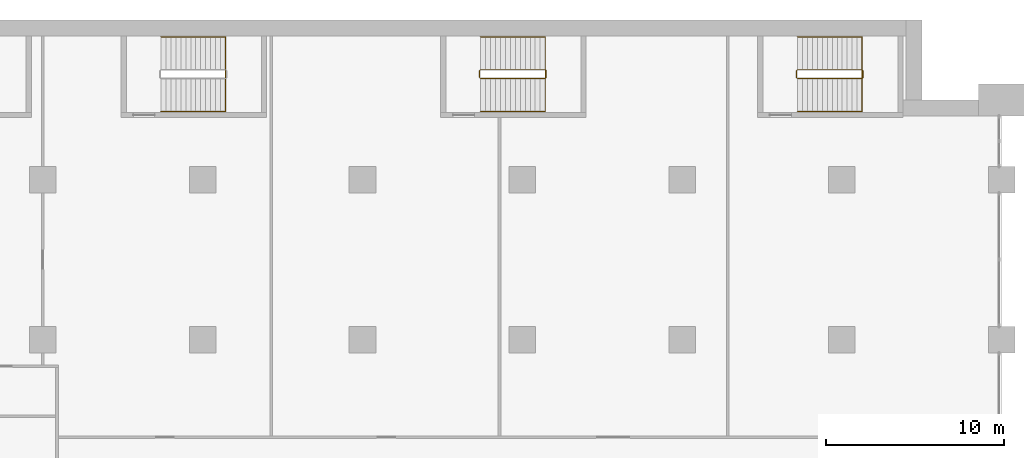
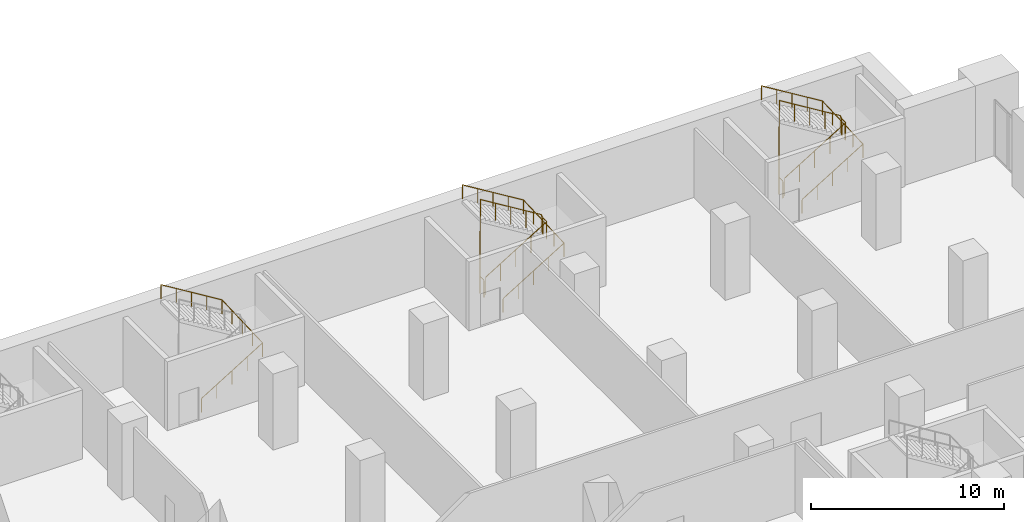
# One storey, part 32 of 32: 5 railings.
"""IFC4 building model written with IfcOpenShell, lengths in metres."""

from ifc_helpers import new_model, si_unit, direction, frame, origin, origin_2d, place, context, subcontext, project, spatial, circle, extrude, material, type_object, element, save


model = new_model("IFC4")

# Units and contexts
model_context = context("Model", 3, precision=1e-05, world=origin(), true_north=direction((0.0, 1.0)))
body_context = subcontext(model_context, "Body", "Model", "MODEL_VIEW")
ifc_project = project(units=[si_unit("LENGTHUNIT", "METRE"), si_unit("AREAUNIT", "SQUARE_METRE"), si_unit("VOLUMEUNIT", "CUBIC_METRE"), si_unit("PLANEANGLEUNIT", "RADIAN"), si_unit("MASSUNIT", "GRAM", prefix="KILO")], contexts=[model_context])

# Site, building, storey
site_placement = place(None, origin())
site = spatial("IfcSite", under=ifc_project, at=site_placement, CompositionType="ELEMENT")
building_placement = place(site_placement, origin())
building = spatial("IfcBuilding", under=site, at=building_placement, Name="Hunhe Ridgeline Campus", CompositionType="ELEMENT")
storey_placement = place(building_placement, frame((0.0, 0.0, 26.39990234375)))
storey = spatial("IfcBuildingStorey", under=building, at=storey_placement, Name="L05", CompositionType="ELEMENT", Elevation=26.39990234375)

# Railings
ifc_material_1 = material(Name="Stainless steel balustrade", Category="steel")
railing_type_1 = type_object("IfcRailingType", Name="Stair guard 1100 stainless", PredefinedType="GUARDRAIL", material=ifc_material_1)
railing_1_placement = place(storey_placement, frame((69.64990234375, 95.699951171875, 0.171630859375)))
element("IfcRailing", 1, at=railing_1_placement, inside=storey, type_object=railing_type_1, Name="L05 stair E3 guard", PredefinedType="GUARDRAIL", context=body_context, shape_type="SweptSolid", body=[
    extrude(circle(Radius=0.02392578125, at=origin_2d()), frame((0.0, 0.0, 1.076171875), z_axis=(0.852865859571, 0.0, 0.52213008492), x_axis=(0.0, 1.0, 0.0)), (0.0, 0.0, 1.0), 4.26806640625),
    extrude(circle(Radius=0.02392578125, at=origin_2d()), frame((3.64013671875, 0.0, 3.3046875), z_axis=(0.707106781187, 0.707106781187, 0.0), x_axis=(-0.707106781187, 0.707106781187, 0.0)), (0.0, 0.0, 1.0), 0.07080078125),
    extrude(circle(Radius=0.02392578125, at=origin_2d()), frame((3.690185546875, 0.050048828125, 3.3046875), z_axis=(0.0, 1.0, 0.0), x_axis=(-1.0, 0.0, 0.0)), (0.0, 0.0, 1.0), 0.39990234375),
    extrude(circle(Radius=0.02392578125, at=origin_2d()), frame((3.690185546875, 0.449951171875, 3.3046875), z_axis=(-0.269911200495, 0.269911200495, 0.924281281696), x_axis=(-0.707106781187, -0.707106781187, 0.0)), (0.0, 0.0, 1.0), 0.185546875),
    extrude(circle(Radius=0.02392578125, at=origin_2d()), frame((3.64013671875, 0.5, 3.47607421875), z_axis=(-0.852865859571, 0.0, 0.52213008492), x_axis=(0.0, -1.0, 0.0)), (0.0, 0.0, 1.0), 4.26806640625),
    extrude(circle(Radius=0.02392578125, at=origin_2d()), frame((0.0, 0.5, 5.70458984375), z_axis=(-0.010374748654, -0.010425605265, -0.999891829822), x_axis=(0.708833529934, -0.705375805398, 0.0)), (0.0, 0.0, 1.0), 4.800537109375),
    extrude(circle(Radius=0.02392578125, at=origin_2d()), frame((-0.0498046875, 0.449951171875, 0.904296875), z_axis=(0.0, -1.0, 0.0), x_axis=(1.0, 0.0, 0.0)), (0.0, 0.0, 1.0), 0.39990234375),
    extrude(circle(Radius=0.02099609375, at=origin_2d()), origin(), (0.0, 0.0, 1.0), 1.052001953125),
    extrude(circle(Radius=0.02099609375, at=origin_2d()), frame((0.91015625, 0.0, 0.55712890625)), (0.0, 0.0, 1.0), 1.052001953125),
    extrude(circle(Radius=0.02099609375, at=origin_2d()), frame((1.820068359375, 0.0, 1.1142578125)), (0.0, 0.0, 1.0), 1.052001953125),
    extrude(circle(Radius=0.02099609375, at=origin_2d()), frame((2.72998046875, 0.0, 1.67138671875)), (0.0, 0.0, 1.0), 1.052001953125),
    extrude(circle(Radius=0.02099609375, at=origin_2d()), frame((3.64013671875, 0.0, 2.228515625)), (0.0, 0.0, 1.0), 1.052001953125),
    extrude(circle(Radius=0.02099609375, at=origin_2d()), frame((3.690185546875, 0.050048828125, 2.228515625)), (0.0, 0.0, 1.0), 1.052001953125),
    extrude(circle(Radius=0.02099609375, at=origin_2d()), frame((3.690185546875, 0.449951171875, 2.228515625)), (0.0, 0.0, 1.0), 1.052001953125),
    extrude(circle(Radius=0.02099609375, at=origin_2d()), frame((3.64013671875, 0.5, 2.39990234375)), (0.0, 0.0, 1.0), 1.052001953125),
    extrude(circle(Radius=0.02099609375, at=origin_2d()), frame((2.72998046875, 0.5, 2.95703125)), (0.0, 0.0, 1.0), 1.052001953125),
    extrude(circle(Radius=0.02099609375, at=origin_2d()), frame((1.820068359375, 0.5, 3.51416015625)), (0.0, 0.0, 1.0), 1.052001953125),
    extrude(circle(Radius=0.02099609375, at=origin_2d()), frame((0.91015625, 0.5, 4.0712890625)), (0.0, 0.0, 1.0), 1.052001953125),
    extrude(circle(Radius=0.02099609375, at=origin_2d()), frame((0.0, 0.5, 4.62841796875)), (0.0, 0.0, 1.0), 1.052001953125),
    extrude(circle(Radius=0.02099609375, at=origin_2d()), frame((-0.010009765625, 0.489990234375, 3.66845703125)), (0.0, 0.0, 1.0), 1.052001953125),
    extrude(circle(Radius=0.02099609375, at=origin_2d()), frame((-0.02001953125, 0.47998046875, 2.70849609375)), (0.0, 0.0, 1.0), 1.052001953125),
    extrude(circle(Radius=0.02099609375, at=origin_2d()), frame((-0.02978515625, 0.469970703125, 1.748291015625)), (0.0, 0.0, 1.0), 1.052001953125),
    extrude(circle(Radius=0.02099609375, at=origin_2d()), frame((-0.039794921875, 0.4599609375, 0.788330078125)), (0.0, 0.0, 1.0), 1.052001953125),
    extrude(circle(Radius=0.02099609375, at=origin_2d()), frame((-0.0498046875, 0.449951171875, -0.171630859375)), (0.0, 0.0, 1.0), 1.052001953125),
    extrude(circle(Radius=0.02099609375, at=origin_2d()), frame((-0.0498046875, 0.050048828125, -0.171630859375)), (0.0, 0.0, 1.0), 1.052001953125),
])
railing_2_placement = place(storey_placement, frame((87.5, 95.699951171875, 0.171630859375)))
element("IfcRailing", 2, at=railing_2_placement, inside=storey, type_object=railing_type_1, Name="L05 stair E4 guard", PredefinedType="GUARDRAIL", context=body_context, shape_type="SweptSolid", body=[
    extrude(circle(Radius=0.02392578125, at=origin_2d()), frame((0.0, 0.0, 1.076171875), z_axis=(0.852850264322, 0.0, 0.5221555579), x_axis=(0.0, 1.0, 0.0)), (0.0, 0.0, 1.0), 4.267822265625),
    extrude(circle(Radius=0.02392578125, at=origin_2d()), frame((3.639892578125, 0.0, 3.3046875), z_axis=(0.707106781187, 0.707106781187, 0.0), x_axis=(-0.707106781187, 0.707106781187, 0.0)), (0.0, 0.0, 1.0), 0.07080078125),
    extrude(circle(Radius=0.02392578125, at=origin_2d()), frame((3.68994140625, 0.050048828125, 3.3046875), z_axis=(0.0, 1.0, 0.0), x_axis=(-1.0, 0.0, 0.0)), (0.0, 0.0, 1.0), 0.39990234375),
    extrude(circle(Radius=0.02392578125, at=origin_2d()), frame((3.68994140625, 0.449951171875, 3.3046875), z_axis=(-0.269911200495, 0.269911200495, 0.924281281696), x_axis=(-0.707106781187, -0.707106781187, 0.0)), (0.0, 0.0, 1.0), 0.185546875),
    extrude(circle(Radius=0.02392578125, at=origin_2d()), frame((3.639892578125, 0.5, 3.47607421875), z_axis=(-0.852850264322, 0.0, 0.5221555579), x_axis=(0.0, -1.0, 0.0)), (0.0, 0.0, 1.0), 4.267822265625),
    extrude(circle(Radius=0.02392578125, at=origin_2d()), frame((0.0, 0.5, 5.70458984375), z_axis=(-0.010425599751, -0.010425599751, -0.999891300962), x_axis=(0.707106781187, -0.707106781187, 0.0)), (0.0, 0.0, 1.0), 4.800537109375),
    extrude(circle(Radius=0.02392578125, at=origin_2d()), frame((-0.050048828125, 0.449951171875, 0.904296875), z_axis=(0.0, -1.0, 0.0), x_axis=(1.0, 0.0, 0.0)), (0.0, 0.0, 1.0), 0.39990234375),
    extrude(circle(Radius=0.02099609375, at=origin_2d()), origin(), (0.0, 0.0, 1.0), 1.052001953125),
    extrude(circle(Radius=0.02099609375, at=origin_2d()), frame((0.909912109375, 0.0, 0.55712890625)), (0.0, 0.0, 1.0), 1.052001953125),
    extrude(circle(Radius=0.02099609375, at=origin_2d()), frame((1.81982421875, 0.0, 1.1142578125)), (0.0, 0.0, 1.0), 1.052001953125),
    extrude(circle(Radius=0.02099609375, at=origin_2d()), frame((2.72998046875, 0.0, 1.67138671875)), (0.0, 0.0, 1.0), 1.052001953125),
    extrude(circle(Radius=0.02099609375, at=origin_2d()), frame((3.639892578125, 0.0, 2.228515625)), (0.0, 0.0, 1.0), 1.052001953125),
    extrude(circle(Radius=0.02099609375, at=origin_2d()), frame((3.68994140625, 0.050048828125, 2.228515625)), (0.0, 0.0, 1.0), 1.052001953125),
    extrude(circle(Radius=0.02099609375, at=origin_2d()), frame((3.68994140625, 0.449951171875, 2.228515625)), (0.0, 0.0, 1.0), 1.052001953125),
    extrude(circle(Radius=0.02099609375, at=origin_2d()), frame((3.639892578125, 0.5, 2.39990234375)), (0.0, 0.0, 1.0), 1.052001953125),
    extrude(circle(Radius=0.02099609375, at=origin_2d()), frame((2.72998046875, 0.5, 2.95703125)), (0.0, 0.0, 1.0), 1.052001953125),
    extrude(circle(Radius=0.02099609375, at=origin_2d()), frame((1.81982421875, 0.5, 3.51416015625)), (0.0, 0.0, 1.0), 1.052001953125),
    extrude(circle(Radius=0.02099609375, at=origin_2d()), frame((0.909912109375, 0.5, 4.0712890625)), (0.0, 0.0, 1.0), 1.052001953125),
    extrude(circle(Radius=0.02099609375, at=origin_2d()), frame((0.0, 0.5, 4.62841796875)), (0.0, 0.0, 1.0), 1.052001953125),
    extrude(circle(Radius=0.02099609375, at=origin_2d()), frame((-0.010009765625, 0.489990234375, 3.66845703125)), (0.0, 0.0, 1.0), 1.052001953125),
    extrude(circle(Radius=0.02099609375, at=origin_2d()), frame((-0.02001953125, 0.47998046875, 2.70849609375)), (0.0, 0.0, 1.0), 1.052001953125),
    extrude(circle(Radius=0.02099609375, at=origin_2d()), frame((-0.030029296875, 0.469970703125, 1.748291015625)), (0.0, 0.0, 1.0), 1.052001953125),
    extrude(circle(Radius=0.02099609375, at=origin_2d()), frame((-0.0400390625, 0.4599609375, 0.788330078125)), (0.0, 0.0, 1.0), 1.052001953125),
    extrude(circle(Radius=0.02099609375, at=origin_2d()), frame((-0.050048828125, 0.449951171875, -0.171630859375)), (0.0, 0.0, 1.0), 1.052001953125),
    extrude(circle(Radius=0.02099609375, at=origin_2d()), frame((-0.050048828125, 0.050048828125, -0.171630859375)), (0.0, 0.0, 1.0), 1.052001953125),
])
ifc_material_2 = material(Name="Stainless steel handrail", Category="steel")
railing_type_2 = type_object("IfcRailingType", Name="Stair handrail 900 stainless", PredefinedType="HANDRAIL", material=ifc_material_2)
railing_3_placement = place(storey_placement, frame((51.64990234375, 93.85009765625, 0.171630859375)))
element("IfcRailing", 3, at=railing_3_placement, inside=storey, type_object=railing_type_2, Name="L05 stair E2 handrail", PredefinedType="HANDRAIL", context=body_context, shape_type="SweptSolid", body=[
    extrude(circle(Radius=0.02392578125, at=origin_2d()), frame((0.0, 0.0, 0.8759765625), z_axis=(0.852865859571, 0.0, 0.52213008492), x_axis=(0.0, 1.0, 0.0)), (0.0, 0.0, 1.0), 4.26806640625),
    extrude(circle(Radius=0.02392578125, at=origin_2d()), frame((3.64013671875, 0.0, 3.1044921875), z_axis=(0.0, 0.999168439458, 0.040772902662), x_axis=(-1.0, 0.0, 0.0)), (0.0, 0.0, 1.0), 4.203369140625),
    extrude(circle(Radius=0.02392578125, at=origin_2d()), frame((3.64013671875, 4.199951171875, 3.27587890625), z_axis=(-0.852865859571, 0.0, 0.52213008492), x_axis=(0.0, -1.0, 0.0)), (0.0, 0.0, 1.0), 4.26806640625),
    extrude(circle(Radius=0.02099609375, at=origin_2d()), origin(), (0.0, 0.0, 1.0), 0.851806640625),
    extrude(circle(Radius=0.02099609375, at=origin_2d()), frame((0.91015625, 0.0, 0.55712890625)), (0.0, 0.0, 1.0), 0.851806640625),
    extrude(circle(Radius=0.02099609375, at=origin_2d()), frame((1.820068359375, 0.0, 1.1142578125)), (0.0, 0.0, 1.0), 0.851806640625),
    extrude(circle(Radius=0.02099609375, at=origin_2d()), frame((2.72998046875, 0.0, 1.67138671875)), (0.0, 0.0, 1.0), 0.851806640625),
    extrude(circle(Radius=0.02099609375, at=origin_2d()), frame((3.64013671875, 0.0, 2.228515625)), (0.0, 0.0, 1.0), 0.851806640625),
    extrude(circle(Radius=0.02099609375, at=origin_2d()), frame((3.64013671875, 1.050048828125, 2.271484375)), (0.0, 0.0, 1.0), 0.851806640625),
    extrude(circle(Radius=0.02099609375, at=origin_2d()), frame((3.64013671875, 2.10009765625, 2.314208984375)), (0.0, 0.0, 1.0), 0.851806640625),
    extrude(circle(Radius=0.02099609375, at=origin_2d()), frame((3.64013671875, 3.14990234375, 2.35693359375)), (0.0, 0.0, 1.0), 0.851806640625),
    extrude(circle(Radius=0.02099609375, at=origin_2d()), frame((3.64013671875, 4.199951171875, 2.39990234375)), (0.0, 0.0, 1.0), 0.851806640625),
    extrude(circle(Radius=0.02099609375, at=origin_2d()), frame((2.72998046875, 4.199951171875, 2.95703125)), (0.0, 0.0, 1.0), 0.851806640625),
    extrude(circle(Radius=0.02099609375, at=origin_2d()), frame((1.820068359375, 4.199951171875, 3.51416015625)), (0.0, 0.0, 1.0), 0.851806640625),
    extrude(circle(Radius=0.02099609375, at=origin_2d()), frame((0.91015625, 4.199951171875, 4.0712890625)), (0.0, 0.0, 1.0), 0.851806640625),
    extrude(circle(Radius=0.02099609375, at=origin_2d()), frame((0.0, 4.199951171875, 4.62841796875)), (0.0, 0.0, 1.0), 0.851806640625),
])
railing_4_placement = place(storey_placement, frame((69.64990234375, 93.85009765625, 0.171630859375)))
element("IfcRailing", 4, at=railing_4_placement, inside=storey, type_object=railing_type_2, Name="L05 stair E3 handrail", PredefinedType="HANDRAIL", context=body_context, shape_type="SweptSolid", body=[
    extrude(circle(Radius=0.02392578125, at=origin_2d()), frame((0.0, 0.0, 0.8759765625), z_axis=(0.852865859571, 0.0, 0.52213008492), x_axis=(0.0, 1.0, 0.0)), (0.0, 0.0, 1.0), 4.26806640625),
    extrude(circle(Radius=0.02392578125, at=origin_2d()), frame((3.64013671875, 0.0, 3.1044921875), z_axis=(0.0, 0.999168439458, 0.040772902662), x_axis=(-1.0, 0.0, 0.0)), (0.0, 0.0, 1.0), 4.203369140625),
    extrude(circle(Radius=0.02392578125, at=origin_2d()), frame((3.64013671875, 4.199951171875, 3.27587890625), z_axis=(-0.852865859571, 0.0, 0.52213008492), x_axis=(0.0, -1.0, 0.0)), (0.0, 0.0, 1.0), 4.26806640625),
    extrude(circle(Radius=0.02099609375, at=origin_2d()), origin(), (0.0, 0.0, 1.0), 0.851806640625),
    extrude(circle(Radius=0.02099609375, at=origin_2d()), frame((0.91015625, 0.0, 0.55712890625)), (0.0, 0.0, 1.0), 0.851806640625),
    extrude(circle(Radius=0.02099609375, at=origin_2d()), frame((1.820068359375, 0.0, 1.1142578125)), (0.0, 0.0, 1.0), 0.851806640625),
    extrude(circle(Radius=0.02099609375, at=origin_2d()), frame((2.72998046875, 0.0, 1.67138671875)), (0.0, 0.0, 1.0), 0.851806640625),
    extrude(circle(Radius=0.02099609375, at=origin_2d()), frame((3.64013671875, 0.0, 2.228515625)), (0.0, 0.0, 1.0), 0.851806640625),
    extrude(circle(Radius=0.02099609375, at=origin_2d()), frame((3.64013671875, 1.050048828125, 2.271484375)), (0.0, 0.0, 1.0), 0.851806640625),
    extrude(circle(Radius=0.02099609375, at=origin_2d()), frame((3.64013671875, 2.10009765625, 2.314208984375)), (0.0, 0.0, 1.0), 0.851806640625),
    extrude(circle(Radius=0.02099609375, at=origin_2d()), frame((3.64013671875, 3.14990234375, 2.35693359375)), (0.0, 0.0, 1.0), 0.851806640625),
    extrude(circle(Radius=0.02099609375, at=origin_2d()), frame((3.64013671875, 4.199951171875, 2.39990234375)), (0.0, 0.0, 1.0), 0.851806640625),
    extrude(circle(Radius=0.02099609375, at=origin_2d()), frame((2.72998046875, 4.199951171875, 2.95703125)), (0.0, 0.0, 1.0), 0.851806640625),
    extrude(circle(Radius=0.02099609375, at=origin_2d()), frame((1.820068359375, 4.199951171875, 3.51416015625)), (0.0, 0.0, 1.0), 0.851806640625),
    extrude(circle(Radius=0.02099609375, at=origin_2d()), frame((0.91015625, 4.199951171875, 4.0712890625)), (0.0, 0.0, 1.0), 0.851806640625),
    extrude(circle(Radius=0.02099609375, at=origin_2d()), frame((0.0, 4.199951171875, 4.62841796875)), (0.0, 0.0, 1.0), 0.851806640625),
])
railing_5_placement = place(storey_placement, frame((87.5, 93.85009765625, 0.171630859375)))
element("IfcRailing", 5, at=railing_5_placement, inside=storey, type_object=railing_type_2, Name="L05 stair E4 handrail", PredefinedType="HANDRAIL", context=body_context, shape_type="SweptSolid", body=[
    extrude(circle(Radius=0.02392578125, at=origin_2d()), frame((0.0, 0.0, 0.8759765625), z_axis=(0.852850264322, 0.0, 0.5221555579), x_axis=(0.0, 1.0, 0.0)), (0.0, 0.0, 1.0), 4.267822265625),
    extrude(circle(Radius=0.02392578125, at=origin_2d()), frame((3.639892578125, 0.0, 3.1044921875), z_axis=(0.0, 0.999168439458, 0.040772902662), x_axis=(-1.0, 0.0, 0.0)), (0.0, 0.0, 1.0), 4.203369140625),
    extrude(circle(Radius=0.02392578125, at=origin_2d()), frame((3.639892578125, 4.199951171875, 3.27587890625), z_axis=(-0.852850264322, 0.0, 0.5221555579), x_axis=(0.0, -1.0, 0.0)), (0.0, 0.0, 1.0), 4.267822265625),
    extrude(circle(Radius=0.02099609375, at=origin_2d()), origin(), (0.0, 0.0, 1.0), 0.851806640625),
    extrude(circle(Radius=0.02099609375, at=origin_2d()), frame((0.909912109375, 0.0, 0.55712890625)), (0.0, 0.0, 1.0), 0.851806640625),
    extrude(circle(Radius=0.02099609375, at=origin_2d()), frame((1.81982421875, 0.0, 1.1142578125)), (0.0, 0.0, 1.0), 0.851806640625),
    extrude(circle(Radius=0.02099609375, at=origin_2d()), frame((2.72998046875, 0.0, 1.67138671875)), (0.0, 0.0, 1.0), 0.851806640625),
    extrude(circle(Radius=0.02099609375, at=origin_2d()), frame((3.639892578125, 0.0, 2.228515625)), (0.0, 0.0, 1.0), 0.851806640625),
    extrude(circle(Radius=0.02099609375, at=origin_2d()), frame((3.639892578125, 1.050048828125, 2.271484375)), (0.0, 0.0, 1.0), 0.851806640625),
    extrude(circle(Radius=0.02099609375, at=origin_2d()), frame((3.639892578125, 2.10009765625, 2.314208984375)), (0.0, 0.0, 1.0), 0.851806640625),
    extrude(circle(Radius=0.02099609375, at=origin_2d()), frame((3.639892578125, 3.14990234375, 2.35693359375)), (0.0, 0.0, 1.0), 0.851806640625),
    extrude(circle(Radius=0.02099609375, at=origin_2d()), frame((3.639892578125, 4.199951171875, 2.39990234375)), (0.0, 0.0, 1.0), 0.851806640625),
    extrude(circle(Radius=0.02099609375, at=origin_2d()), frame((2.72998046875, 4.199951171875, 2.95703125)), (0.0, 0.0, 1.0), 0.851806640625),
    extrude(circle(Radius=0.02099609375, at=origin_2d()), frame((1.81982421875, 4.199951171875, 3.51416015625)), (0.0, 0.0, 1.0), 0.851806640625),
    extrude(circle(Radius=0.02099609375, at=origin_2d()), frame((0.909912109375, 4.199951171875, 4.0712890625)), (0.0, 0.0, 1.0), 0.851806640625),
    extrude(circle(Radius=0.02099609375, at=origin_2d()), frame((0.0, 4.199951171875, 4.62841796875)), (0.0, 0.0, 1.0), 0.851806640625),
])

save(model, "model.ifc")
